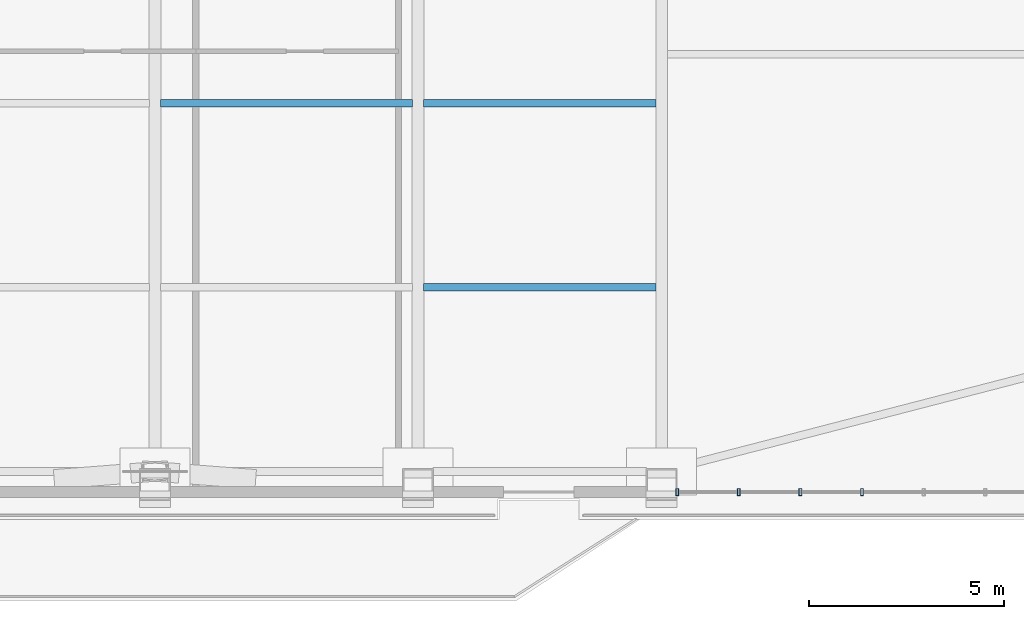
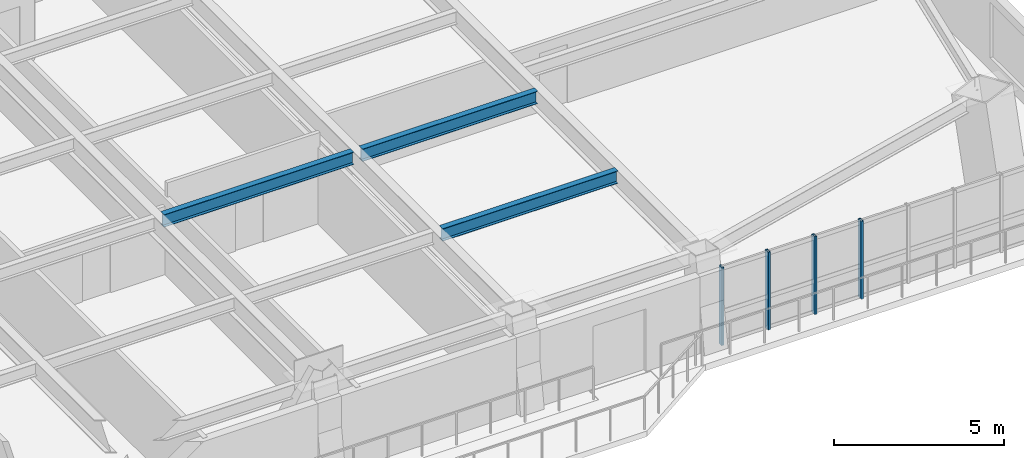
# One storey, part 4 of 15: 4 members, 3 beams, 1 element without a shape of its own.
"""IFC4 building model written with IfcOpenShell, lengths in metres."""

import ifcopenshell
import ifcopenshell.guid

model = None  # the IFC model being written
_history = None  # IfcOwnerHistory: only IFC2X3 demands one
_inside = {}  # id of a spatial element -> (the spatial element, [elements in it])
_under = {}  # id of a project, library or spatial element -> (it, [spatial elements below it])
_declared = {}  # id of a project -> (the project, [libraries it declares])
_typed = {}  # id of a type object -> (the type object, [elements of that type])
_made_of = {}  # id of a material, layer set ... -> (it, [elements and type objects made of it])


def new_model(schema):
    """Start an empty IFC model of exactly this schema.

    Asked for "IFC4X3", IfcOpenShell would pick the latest addendum, in which some entities
    have other attributes; the version numbers below select the first issue.
    IFC2X3 requires an IfcOwnerHistory on every rooted entity: one is made here for all.
    """
    global model, _history
    if schema == "IFC4X3":
        model = ifcopenshell.file(schema_version=(4, 3, 0, 0))
    else:
        model = ifcopenshell.file(schema=schema)
    _inside.clear()
    _under.clear()
    _declared.clear()
    _typed.clear()
    _made_of.clear()
    _history = None
    if model.schema == "IFC2X3":
        org = make("IfcOrganization", Name="unknown")
        user = make(
            "IfcPersonAndOrganization",
            ThePerson=make("IfcPerson", FamilyName="unknown"),
            TheOrganization=org,
        )
        app = make(
            "IfcApplication",
            ApplicationDeveloper=org,
            Version="unknown",
            ApplicationFullName="unknown",
            ApplicationIdentifier="unknown",
        )
        _history = make(
            "IfcOwnerHistory",
            OwningUser=user,
            OwningApplication=app,
            ChangeAction="ADDED",
            CreationDate=0,
        )
    return model


def make(cls, **values):
    """One entity of the class cls with the attributes given. An attribute that is None is left unset."""
    return model.create_entity(
        cls, **{name: value for name, value in values.items() if value is not None}
    )


def rooted(cls, **values):
    """An entity with a GlobalId (a new one), such as an element, a storey or a relation."""
    return make(cls, GlobalId=ifcopenshell.guid.new(), OwnerHistory=_history, **values)


def si_unit(unit_type, name, prefix=None):
    """IfcSIUnit, for example si_unit("LENGTHUNIT", "METRE", prefix="MILLI")."""
    return make("IfcSIUnit", UnitType=unit_type, Prefix=prefix, Name=name)


def assignment(units):
    """IfcUnitAssignment: the units of a project."""
    return None if units is None else make("IfcUnitAssignment", Units=units)


def point(xyz):
    """IfcCartesianPoint."""
    return None if xyz is None else make("IfcCartesianPoint", Coordinates=xyz)


def direction(xyz):
    """IfcDirection."""
    return None if xyz is None else make("IfcDirection", DirectionRatios=xyz)


def frame(location, z_axis=None, x_axis=None):
    """IfcAxis2Placement3D, a coordinate frame: its origin and axes. An axis left out is left unset."""
    return make(
        "IfcAxis2Placement3D",
        Location=point(location),
        Axis=direction(z_axis),
        RefDirection=direction(x_axis),
    )


def frame_2d(location, x_axis=None):
    """IfcAxis2Placement2D, a coordinate frame in the plane: its origin and x axis."""
    return make(
        "IfcAxis2Placement2D", Location=point(location), RefDirection=direction(x_axis)
    )


def origin():
    """The frame at (0, 0, 0) with its axes left unset."""
    return frame((0.0, 0.0, 0.0))


def origin_2d():
    """The frame at (0, 0) in the plane with its x axis left unset."""
    return frame_2d((0.0, 0.0))


def place(relative_to, where):
    """IfcLocalPlacement: puts the frame where relative to a parent placement (None: the world)."""
    return make(
        "IfcLocalPlacement", PlacementRelTo=relative_to, RelativePlacement=where
    )


def context(
    kind, dimensions, precision=None, world=None, true_north=None, identifier=None
):
    """IfcGeometricRepresentationContext, for example the 3D "Model" context."""
    return make(
        "IfcGeometricRepresentationContext",
        ContextIdentifier=identifier,
        ContextType=kind,
        CoordinateSpaceDimension=dimensions,
        Precision=precision,
        WorldCoordinateSystem=world,
        TrueNorth=true_north,
    )


def subcontext(parent, identifier, kind, view, scale=None):
    """IfcGeometricRepresentationSubContext, for example "Body" below "Model"."""
    return make(
        "IfcGeometricRepresentationSubContext",
        ContextIdentifier=identifier,
        ContextType=kind,
        ParentContext=parent,
        TargetScale=scale,
        TargetView=view,
    )


def project(units=None, contexts=None):
    """IfcProject with its units and contexts."""
    return rooted(
        "IfcProject",
        Name="project",
        RepresentationContexts=contexts,
        UnitsInContext=assignment(units),
    )


def spatial(cls, under=None, at=None, **own):
    """A site, building, storey or space (cls), placed at a placement, below another one or the project."""
    s = rooted(cls, ObjectPlacement=at, **own)
    if under is not None:
        _under.setdefault(under.id(), (under, []))[1].append(s)
    return s


def profile(cls, at=None, kind="AREA", **sizes):
    """A parametric profile (cls). Its sizes go by their IFC names, for example OverallWidth=200.0."""
    return make(cls, ProfileType=kind, Position=at, **sizes)


def hollow_rectangle(**sizes):
    """IfcRectangleHollowProfileDef."""
    return profile("IfcRectangleHollowProfileDef", **sizes)


def i_section(**sizes):
    """IfcIShapeProfileDef."""
    return profile("IfcIShapeProfileDef", **sizes)


def extrude(swept, where, along, depth):
    """IfcExtrudedAreaSolid: the profile swept, set in the frame where, extruded along a direction by depth."""
    return make(
        "IfcExtrudedAreaSolid",
        SweptArea=swept,
        Position=where,
        ExtrudedDirection=direction(along),
        Depth=depth,
    )


def shape(context_of_items, identifier, shape_type, items):
    """IfcShapeRepresentation: the items that make up one representation, for example the "Body"."""
    return make(
        "IfcShapeRepresentation",
        ContextOfItems=context_of_items,
        RepresentationIdentifier=identifier,
        RepresentationType=shape_type,
        Items=items,
    )


def source(mapping_origin, context_of_items, identifier, shape_type, items):
    """IfcRepresentationMap: a shape defined once, which mapped items show again and again."""
    return make(
        "IfcRepresentationMap",
        MappingOrigin=mapping_origin,
        MappedRepresentation=shape(context_of_items, identifier, shape_type, items),
    )


def transform(
    local_origin,
    x_axis=None,
    y_axis=None,
    z_axis=None,
    scale=None,
    scale2=None,
    scale3=None,
    uniform=True,
):
    """IfcCartesianTransformationOperator3D, or its non-uniform kind. x_axis, y_axis, z_axis: its Axis1, 2, 3."""
    if uniform:
        return make(
            "IfcCartesianTransformationOperator3D",
            Axis1=direction(x_axis),
            Axis2=direction(y_axis),
            LocalOrigin=point(local_origin),
            Scale=scale,
            Axis3=direction(z_axis),
        )
    return make(
        "IfcCartesianTransformationOperator3DnonUniform",
        Axis1=direction(x_axis),
        Axis2=direction(y_axis),
        LocalOrigin=point(local_origin),
        Scale=scale,
        Axis3=direction(z_axis),
        Scale2=scale2,
        Scale3=scale3,
    )


def mapped(mapping_source, mapping_target):
    """IfcMappedItem: shows the shape of a source again, moved by a transform."""
    return make(
        "IfcMappedItem", MappingSource=mapping_source, MappingTarget=mapping_target
    )


def material(Name=None, Category=None):
    """IfcMaterial."""
    return make("IfcMaterial", Name=Name, Category=Category)


def layer(
    of_material, thickness, ventilated=None, Name=None, Category=None, Priority=None
):
    """IfcMaterialLayer: one layer of a wall or slab, of a material (None: an air gap)."""
    return make(
        "IfcMaterialLayer",
        Material=of_material,
        LayerThickness=thickness,
        IsVentilated=ventilated,
        Name=Name,
        Category=Category,
        Priority=Priority,
    )


def layer_set(layers, Name=None):
    """IfcMaterialLayerSet."""
    return make("IfcMaterialLayerSet", MaterialLayers=layers, LayerSetName=Name)


def material_profile(
    of_material, cross_section, Name=None, Category=None, Priority=None
):
    """IfcMaterialProfile: a cross section and its material."""
    return make(
        "IfcMaterialProfile",
        Name=Name,
        Material=of_material,
        Profile=cross_section,
        Priority=Priority,
        Category=Category,
    )


def profile_set(profiles, Name=None, composite=None):
    """IfcMaterialProfileSet."""
    return make(
        "IfcMaterialProfileSet",
        Name=Name,
        MaterialProfiles=profiles,
        CompositeProfile=composite,
    )


def made_of(thing, what):
    """Note that an element or type object is made of a material, layer set ...; save() writes the relation."""
    if what is not None:
        _made_of.setdefault(what.id(), (what, []))[1].append(thing)
    return thing


def type_object(cls, material=None, **own):
    """A type object (cls), such as IfcWallType, which elements share."""
    return made_of(rooted(cls, **own), material)


def element(
    cls,
    number,
    at=None,
    inside=None,
    cuts=None,
    type_object=None,
    material=None,
    context=None,
    identifier="Body",
    shape_type=None,
    held_by="IfcProductDefinitionShape",
    body=None,
    shapes=None,
    **own,
):
    """One element of the class cls, such as IfcWall. Its Tag is "e" and its number.

    at: its placement. inside: the storey or other place that contains it. cuts: it is an
    opening in that element (IfcRelVoidsElement). A single representation is given by context,
    identifier, shape_type and body (its items); several are given by shapes. held_by: the class
    of the entity that holds the representations. save() writes the other relations.
    """
    e = rooted(cls, Tag="e%d" % number, ObjectPlacement=at, **own)
    if body is not None:
        shapes = [shape(context, identifier, shape_type, body)]
    if shapes is not None:
        e.Representation = make(held_by, Representations=shapes)
    if inside is not None:
        _inside.setdefault(inside.id(), (inside, []))[1].append(e)
    if cuts is not None:
        rooted(
            "IfcRelVoidsElement", RelatingBuildingElement=cuts, RelatedOpeningElement=e
        )
    if type_object is not None:
        _typed.setdefault(type_object.id(), (type_object, []))[1].append(e)
    return made_of(e, material)


def aggregate(whole, parts):
    """IfcRelAggregates: a whole, such as a stair, and the parts it consists of."""
    return rooted("IfcRelAggregates", RelatingObject=whole, RelatedObjects=parts)


def save(model, path):
    """Write the relations noted so far, then the file.

    IfcRelAggregates (storeys below a building ...), IfcRelContainedInSpatialStructure (elements
    in a storey), IfcRelDefinesByType, IfcRelAssociatesMaterial and IfcRelDeclares: one each for
    every whole, place, type object, material and project.
    """
    for whole, parts in _under.values():
        aggregate(whole, parts)
    for where, things in _inside.values():
        rooted(
            "IfcRelContainedInSpatialStructure",
            RelatedElements=things,
            RelatingStructure=where,
        )
    for kind, things in _typed.values():
        rooted("IfcRelDefinesByType", RelatedObjects=things, RelatingType=kind)
    for what, things in _made_of.values():
        rooted("IfcRelAssociatesMaterial", RelatedObjects=things, RelatingMaterial=what)
    for by, libraries in _declared.values():
        rooted("IfcRelDeclares", RelatingContext=by, RelatedDefinitions=libraries)
    model.write(path)


model = new_model("IFC4")

# Units and contexts
model_context = context("Model", 3, precision=1e-05, world=origin(), true_north=direction((0.0, 1.0)))
body_context = subcontext(model_context, "Body", "Model", "MODEL_VIEW")
ifc_project = project(units=[si_unit("LENGTHUNIT", "METRE"), si_unit("AREAUNIT", "SQUARE_METRE"), si_unit("VOLUMEUNIT", "CUBIC_METRE"), si_unit("PLANEANGLEUNIT", "RADIAN"), si_unit("MASSUNIT", "GRAM", prefix="KILO")], contexts=[model_context])

# Site, building, storey
site_placement = place(None, origin())
site = spatial("IfcSite", under=ifc_project, at=site_placement, CompositionType="ELEMENT")
building_placement = place(site_placement, origin())
building = spatial("IfcBuilding", under=site, at=building_placement, Name="Giltprow Tower", CompositionType="ELEMENT")
storey_placement = place(building_placement, frame((0.0, 0.0, 156.199951171875)))
storey = spatial("IfcBuildingStorey", under=building, at=storey_placement, Name="L38", CompositionType="ELEMENT", Elevation=156.199951171875)

# Beams
ifc_material_1 = material(Name="Structural steel Q355B", Category="steel")
ifc_material_profile_1 = material_profile(ifc_material_1, i_section(OverallWidth=0.199951171875, OverallDepth=0.449951171875, WebThickness=0.009033203125, FlangeThickness=0.013916015625, at=origin_2d()), Name="HN 450x200x9x14")
ifc_profile_set_1 = profile_set([ifc_material_profile_1], Name="Structural steel Q355B")
beam_type = type_object("IfcBeamType", Name="BM-JOIST-HN450", PredefinedType="JOIST", material=ifc_profile_set_1)
shared_shape_1 = source(origin(), body_context, "Body", "SweptSolid", [
    extrude(i_section(OverallWidth=0.199951171875, OverallDepth=0.449951171875, WebThickness=0.009033203125, FlangeThickness=0.013916015625, at=origin_2d()), origin(), (0.0, 0.0, 1.0), 6.4599609375),
])
beam_placement = place(storey_placement, frame((37.695068359375, 18.549072265625, 3.045166015625), z_axis=(1.0, 0.0, 0.0), x_axis=(0.0, 1.0, 0.0)))
element("IfcBeam", 1, at=beam_placement, inside=storey, type_object=beam_type, Name="L38 Composite Floor Joist 2-3", PredefinedType="JOIST", context=body_context, shape_type="MappedRepresentation", body=[
    mapped(shared_shape_1, transform((0.0, 0.0, 0.0), x_axis=(1.0, 0.0, 0.0), y_axis=(0.0, 1.0, 0.0), z_axis=(0.0, 0.0, 1.0), scale=1.0)),
])
shared_shape_2 = source(origin(), body_context, "Body", "SweptSolid", [
    extrude(i_section(OverallWidth=0.199951171875, OverallDepth=0.449951171875, WebThickness=0.009033203125, FlangeThickness=0.013916015625, at=origin_2d()), origin(), (0.0, 0.0, 1.0), 5.9599609375),
])
for number, where, z_axis, x_axis, name in (
    (2, (44.445068359375, 13.822998046875, 3.045166015625), (1.0, 0.0, 0.0), (0.0, 1.0, 0.0), "L38 Composite Floor Joist 1-4"),
    (3, (44.445068359375, 18.549072265625, 3.045166015625), (1.0, 0.0, 0.0), (0.0, 1.0, 0.0), "L38 Composite Floor Joist 2-4"),
):
    element("IfcBeam", number, at=place(storey_placement, frame(where, z_axis=z_axis, x_axis=x_axis)), inside=storey, type_object=beam_type, Name=name, PredefinedType="JOIST", context=body_context, shape_type="MappedRepresentation", body=[
        mapped(shared_shape_2, transform((0.0, 0.0, 0.0), x_axis=(1.0, 0.0, 0.0), y_axis=(0.0, 1.0, 0.0), z_axis=(0.0, 0.0, 1.0), scale=1.0)),
    ])

# Curtain wall, members
ifc_material_2 = material(Name="Anodized bronze", Category="metal")
ifc_layer = layer(ifc_material_2, 0.179931640625, Name="Anodized bronze")
ifc_layer_set = layer_set([ifc_layer], Name="Anodized bronze")
curtain_wall_type = type_object("IfcCurtainWallType", Name="CW-HTL-BRONZE", PredefinedType="NOTDEFINED", material=ifc_layer_set)
curtain_wall_placement = place(storey_placement, origin())
curtain_wall = element("IfcCurtainWall", 4, at=curtain_wall_placement, inside=storey, type_object=curtain_wall_type, Name="L38 South Recessed Curtain Wall 6", PredefinedType="NOTDEFINED")
ifc_material_profile_2 = material_profile(ifc_material_2, hollow_rectangle(XDim=0.074951171875, YDim=0.179931640625, WallThickness=0.008056640625, at=origin_2d()), Name="RHS 180x75x8")
ifc_profile_set_2 = profile_set([ifc_material_profile_2], Name="Anodized bronze")
member_type = type_object("IfcMemberType", Name="CW-MULLION-180x75", PredefinedType="MULLION", material=ifc_profile_set_2)
shared_shape_3 = source(origin(), body_context, "Body", "SweptSolid", [
    extrude(hollow_rectangle(XDim=0.074951171875, YDim=0.179931640625, WallThickness=0.008056640625, at=origin_2d()), origin(), (0.0, 0.0, 1.0), 2.80517578125),
])
member_1_placement = place(storey_placement, frame((50.949951171875, 8.572021484375, -0.02001953125), z_axis=(0.0, 0.0, 1.0), x_axis=(1.0, 0.0, 0.0)))
member_1 = element("IfcMember", 5, at=member_1_placement, type_object=member_type, Name="L38 South Recessed Curtain Wall 6 Mullion 1", PredefinedType="MULLION", context=body_context, shape_type="MappedRepresentation", body=[
    mapped(shared_shape_3, transform((0.0, 0.0, 0.0), x_axis=(1.0, 0.0, 0.0), y_axis=(0.0, 1.0, 0.0), z_axis=(0.0, 0.0, 1.0), scale=1.0)),
])
member_2_placement = place(storey_placement, frame((52.530029296875, 8.572021484375, -0.02001953125), z_axis=(0.0, 0.0, 1.0), x_axis=(1.0, 0.0, 0.0)))
member_2 = element("IfcMember", 6, at=member_2_placement, type_object=member_type, Name="L38 South Recessed Curtain Wall 6 Mullion 2", PredefinedType="MULLION", context=body_context, shape_type="MappedRepresentation", body=[
    mapped(shared_shape_3, transform((0.0, 0.0, 0.0), x_axis=(1.0, 0.0, 0.0), y_axis=(0.0, 1.0, 0.0), z_axis=(0.0, 0.0, 1.0), scale=1.0)),
])
member_3_placement = place(storey_placement, frame((54.111083984375, 8.572021484375, -0.02001953125), z_axis=(0.0, 0.0, 1.0), x_axis=(1.0, 0.0, 0.0)))
member_3 = element("IfcMember", 7, at=member_3_placement, type_object=member_type, Name="L38 South Recessed Curtain Wall 6 Mullion 3", PredefinedType="MULLION", context=body_context, shape_type="MappedRepresentation", body=[
    mapped(shared_shape_3, transform((0.0, 0.0, 0.0), x_axis=(1.0, 0.0, 0.0), y_axis=(0.0, 1.0, 0.0), z_axis=(0.0, 0.0, 1.0), scale=1.0)),
])
member_4_placement = place(storey_placement, frame((55.69091796875, 8.572021484375, -0.02001953125), z_axis=(0.0, 0.0, 1.0), x_axis=(1.0, 0.0, 0.0)))
member_4 = element("IfcMember", 8, at=member_4_placement, type_object=member_type, Name="L38 South Recessed Curtain Wall 6 Mullion 4", PredefinedType="MULLION", context=body_context, shape_type="MappedRepresentation", body=[
    mapped(shared_shape_3, transform((0.0, 0.0, 0.0), x_axis=(1.0, 0.0, 0.0), y_axis=(0.0, 1.0, 0.0), z_axis=(0.0, 0.0, 1.0), scale=1.0)),
])
aggregate(curtain_wall, [member_1, member_2, member_3, member_4])

save(model, "model.ifc")
